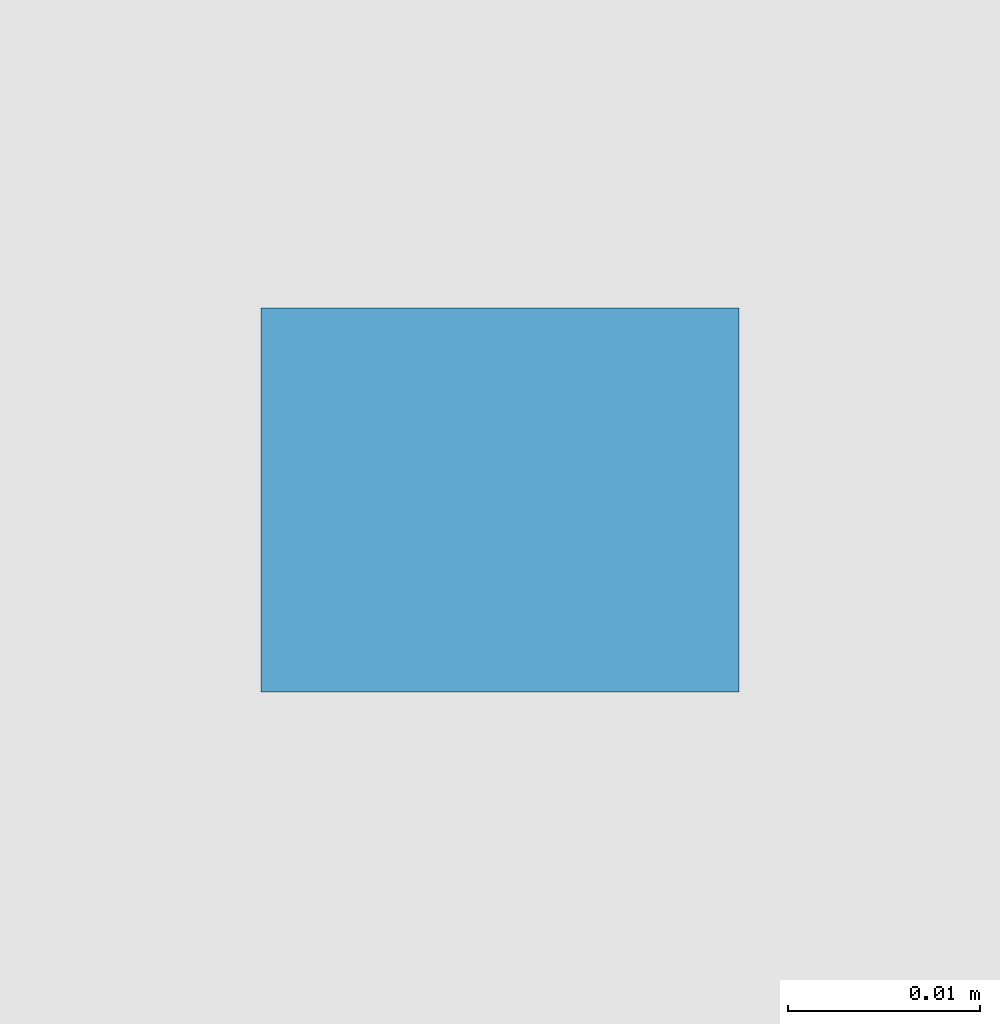
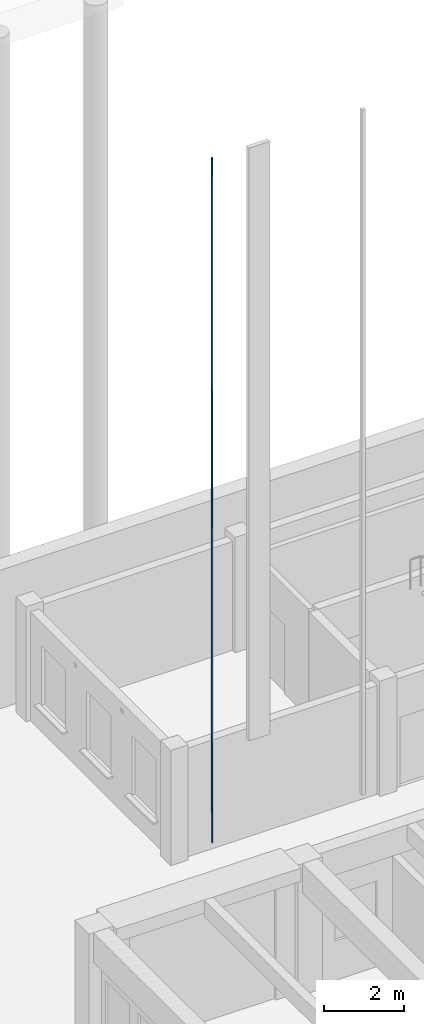
# One storey, part 30 of 37: 1 discrete accessory.
"""IFC4 building model written with IfcOpenShell, lengths in metres."""

from ifc_helpers import new_model, si_unit, direction, frame, origin, origin_2d, place, context, subcontext, project, spatial, rectangle, extrude, material, type_object, element, save


model = new_model("IFC4")

# Units and contexts
model_context = context("Model", 3, precision=1e-05, world=origin(), true_north=direction((0.0, 1.0)))
body_context = subcontext(model_context, "Body", "Model", "MODEL_VIEW")
ifc_project = project(units=[si_unit("LENGTHUNIT", "METRE"), si_unit("AREAUNIT", "SQUARE_METRE"), si_unit("VOLUMEUNIT", "CUBIC_METRE"), si_unit("PLANEANGLEUNIT", "RADIAN"), si_unit("MASSUNIT", "GRAM", prefix="KILO")], contexts=[model_context])

# Site, building, storey
site_placement = place(None, origin())
site = spatial("IfcSite", under=ifc_project, at=site_placement, CompositionType="ELEMENT")
building_placement = place(site_placement, origin())
building = spatial("IfcBuilding", under=site, at=building_placement, Name="Laocheng Heights Fire and Rescue Headquarters", CompositionType="ELEMENT")
storey_placement = place(building_placement, origin())
storey = spatial("IfcBuildingStorey", under=building, at=storey_placement, Name="L00", CompositionType="ELEMENT", Elevation=0.0)

# Discrete accessory
ifc_material = material(Name="Copper tape")
discrete_accessory_type = type_object("IfcDiscreteAccessoryType", Name="DRILL LIGHTNING DOWN CONDUCTOR 25", PredefinedType="USERDEFINED", material=ifc_material)
discrete_accessory_placement = place(storey_placement, frame((115.0, 27.864990234375, 0.2001953125), z_axis=(0.0, 0.0, 1.0), x_axis=(1.0, 0.0, 0.0)))
element("IfcDiscreteAccessory", 1, at=discrete_accessory_placement, inside=storey, type_object=discrete_accessory_type, Name="Down conductor", ObjectType="DOWN CONDUCTOR", PredefinedType="USERDEFINED", context=body_context, shape_type="SweptSolid", body=[
    extrude(rectangle(XDim=0.02490234375, YDim=0.02001953125, at=origin_2d()), origin(), (0.0, 0.0, 1.0), 20.800048828125),
])

save(model, "model.ifc")
